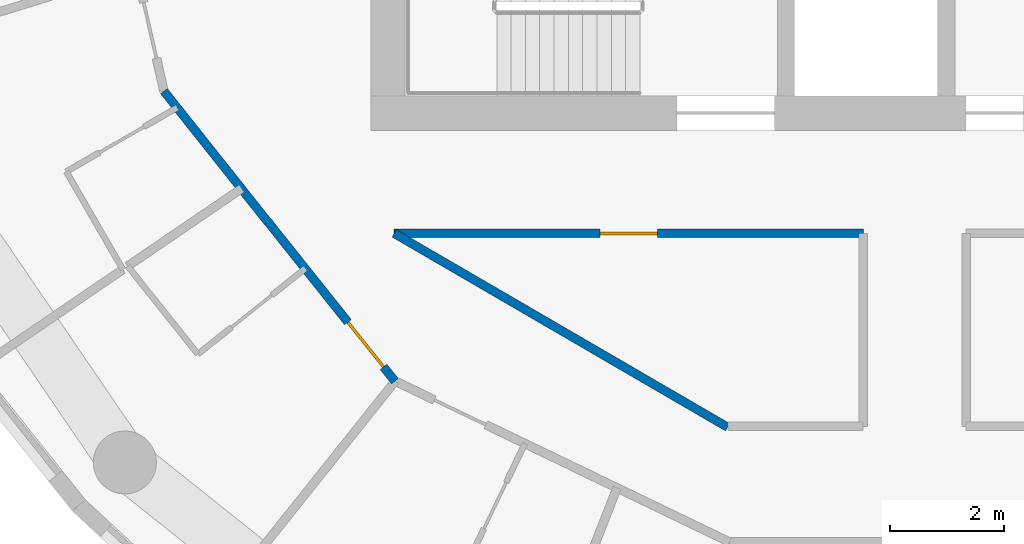
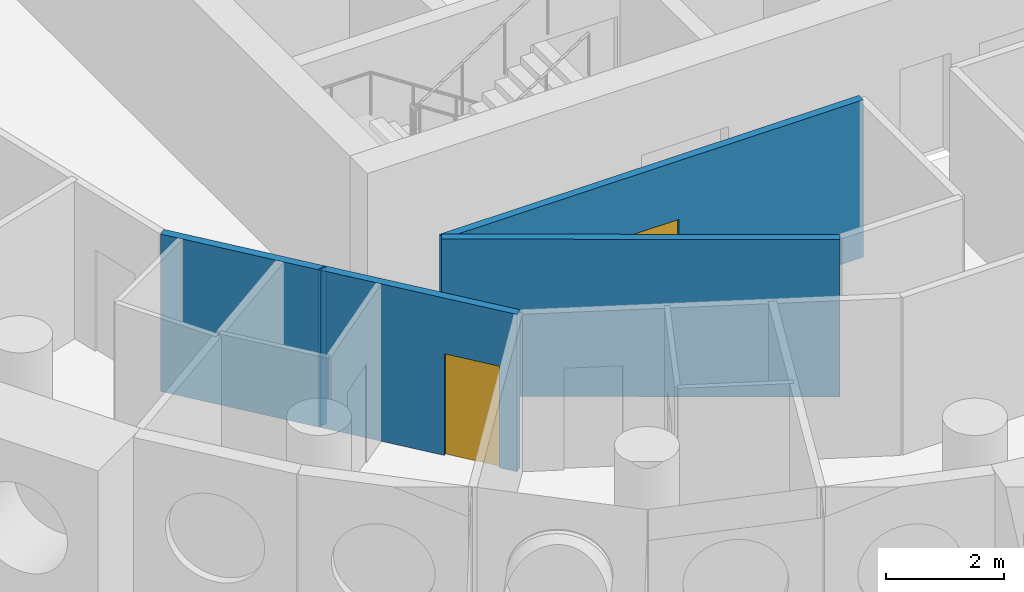
# One storey, part 3 of 13: 5 walls, 2 doors, 2 openings.
"""IFC4 building model written with IfcOpenShell, lengths in metres."""

from ifc_helpers import new_model, si_unit, direction, frame, frame_2d, origin, place, context, subcontext, project, spatial, rectangle, extrude, material, layer, layer_set, type_object, element, fill, save


model = new_model("IFC4")

# Units and contexts
model_context = context("Model", 3, precision=1e-05, world=origin(), true_north=direction((0.0, 1.0)))
body_context = subcontext(model_context, "Body", "Model", "MODEL_VIEW")
ifc_project = project(units=[si_unit("LENGTHUNIT", "METRE"), si_unit("AREAUNIT", "SQUARE_METRE"), si_unit("VOLUMEUNIT", "CUBIC_METRE"), si_unit("PLANEANGLEUNIT", "RADIAN"), si_unit("MASSUNIT", "GRAM", prefix="KILO")], contexts=[model_context])

# Site, building, storey
site_placement = place(None, origin())
site = spatial("IfcSite", under=ifc_project, at=site_placement, CompositionType="ELEMENT")
building_placement = place(site_placement, origin())
building = spatial("IfcBuilding", under=site, at=building_placement, Name="Tracery Tower", CompositionType="ELEMENT")
storey_placement = place(building_placement, frame((0.0, 0.0, 259.800048828125)))
storey = spatial("IfcBuildingStorey", under=building, at=storey_placement, Name="L67", CompositionType="ELEMENT", Elevation=259.800048828125)

# Wall, opening, door
ifc_material_1 = material(Name="Plasterboard on steel studs", Category="steel")
ifc_layer = layer(ifc_material_1, 0.14990234375)
ifc_layer_set = layer_set([ifc_layer], Name="Partition 150 corridor wall")
wall_type = type_object("IfcWallType", Name="Partition 150 corridor wall", PredefinedType="PARTITIONING", material=ifc_layer_set)
wall_1_placement = place(storey_placement, frame((-9.092041015625, -8.800048828125, 0.0), z_axis=(0.0, 0.0, 1.0), x_axis=(1.0, 0.0, 0.0)))
wall_1 = element("IfcWall", 1, at=wall_1_placement, inside=storey, type_object=wall_type, Name="Corridor wall RC3-011", PredefinedType="PARTITIONING", context=body_context, shape_type="SweptSolid", body=[
    extrude(rectangle(XDim=8.196044921875, YDim=0.14990234375, at=frame_2d((4.09814453125, 0.0))), origin(), (0.0, 0.0, 1.0), 3.25),
])
opening_1_placement = place(wall_1_placement, frame((3.597900390625, 0.0, 0.0)))
opening_1 = element("IfcOpeningElement", 2, at=opening_1_placement, cuts=wall_1, Name="Opening RC3-03", PredefinedType="OPENING", context=body_context, shape_type="SweptSolid", body=[
    extrude(rectangle(XDim=1.0, YDim=2.0400390625, at=frame_2d((0.5, 1.02001953125))), frame((0.0, 0.074951171875, 0.0), z_axis=(0.0, -1.0, 0.0), x_axis=(1.0, 0.0, 0.0)), (0.0, 0.0, 1.0), 0.14990234375),
])
ifc_material_2 = material(Name="Timber door leaf", Category="wood")
door_type_1 = type_object("IfcDoorType", Name="Door communal room 1000", OperationType="NOTDEFINED", PredefinedType="DOOR", material=ifc_material_2)
door_1_placement = place(opening_1_placement, origin())
door_1 = element("IfcDoor", 3, at=door_1_placement, inside=storey, type_object=door_type_1, Name="Communal room door RC3-03", OperationType="SINGLE_SWING_RIGHT", OverallHeight=2.0400390625, OverallWidth=1.0, PredefinedType="DOOR", context=body_context, shape_type="SweptSolid", body=[
    extrude(rectangle(XDim=1.0, YDim=2.0400390625, at=frame_2d((0.5, 1.02001953125))), frame((0.0, 0.02490234375, 0.0), z_axis=(0.0, -1.0, 0.0), x_axis=(1.0, 0.0, 0.0)), (0.0, 0.0, 1.0), 0.050048828125),
])
fill(opening_1, door_1)

# Wall
wall_2_placement = place(storey_placement, frame((-9.092041015625, -8.800048828125, 0.0), z_axis=(0.0, 0.0, 1.0), x_axis=(0.864470922103, -0.502682827277, 0.0)))
element("IfcWall", 4, at=wall_2_placement, inside=storey, type_object=wall_type, Name="Corridor wall RC3-012", PredefinedType="PARTITIONING", context=body_context, shape_type="SweptSolid", body=[
    extrude(rectangle(XDim=6.7353515625, YDim=0.14990234375, at=frame_2d((3.36767578125, 0.0))), origin(), (0.0, 0.0, 1.0), 3.25),
])

# Wall, opening, door
wall_3_placement = place(storey_placement, frame((-11.300048828125, -8.59619140625, 0.0), z_axis=(0.0, 0.0, 1.0), x_axis=(0.623165080354, -0.782090328944, 0.0)))
wall_3 = element("IfcWall", 5, at=wall_3_placement, inside=storey, type_object=wall_type, Name="Corridor wall RC3-015", PredefinedType="PARTITIONING", context=body_context, shape_type="SweptSolid", body=[
    extrude(rectangle(XDim=3.56396484375, YDim=0.14990234375, at=frame_2d((1.781982421875, 0.0))), origin(), (0.0, 0.0, 1.0), 3.25),
])
opening_2_placement = place(wall_3_placement, frame((2.243896484375, 0.0, 0.0)))
opening_2 = element("IfcOpeningElement", 6, at=opening_2_placement, cuts=wall_3, Name="Opening RC3-21", PredefinedType="OPENING", context=body_context, shape_type="SweptSolid", body=[
    extrude(rectangle(XDim=1.0, YDim=2.10009765625, at=frame_2d((0.5, 1.050048828125))), frame((0.0, 0.074951171875, 0.0), z_axis=(0.0, -1.0, 0.0), x_axis=(1.0, 0.0, 0.0)), (0.0, 0.0, 1.0), 0.14990234375),
])
ifc_material_3 = material(Name="Timber door leaf", Category="wood")
door_type_2 = type_object("IfcDoorType", Name="Door unit entrance 1000", OperationType="NOTDEFINED", PredefinedType="DOOR", material=ifc_material_3)
door_2_placement = place(opening_2_placement, origin())
door_2 = element("IfcDoor", 7, at=door_2_placement, inside=storey, type_object=door_type_2, Name="Unit entrance door RC3-21", OperationType="SINGLE_SWING_LEFT", OverallHeight=2.10009765625, OverallWidth=1.0, PredefinedType="DOOR", context=body_context, shape_type="SweptSolid", body=[
    extrude(rectangle(XDim=1.0, YDim=2.10009765625, at=frame_2d((0.5, 1.050048828125))), frame((0.0, 0.02490234375, 0.0), z_axis=(0.0, -1.0, 0.0), x_axis=(1.0, 0.0, 0.0)), (0.0, 0.0, 1.0), 0.050048828125),
])
fill(opening_2, door_2)

# Walls
wall_4_placement = place(storey_placement, frame((-11.300048828125, -8.59619140625, 0.0), z_axis=(0.0, 0.0, 1.0), x_axis=(0.0, 1.0, 0.0)))
element("IfcWall", 8, at=wall_4_placement, inside=storey, type_object=wall_type, Name="Corridor wall RC3-017", PredefinedType="PARTITIONING", context=body_context, shape_type="SweptSolid", body=[
    extrude(rectangle(XDim=0.01025390625, YDim=0.14990234375, at=frame_2d((0.005126953125, 0.0))), origin(), (0.0, 0.0, 1.0), 3.25),
])
wall_5_placement = place(storey_placement, frame((-13.114990234375, -6.31591796875, 0.0), z_axis=(0.0, 0.0, 1.0), x_axis=(0.622042479172, -0.782983495423, 0.0)))
element("IfcWall", 9, at=wall_5_placement, inside=storey, type_object=wall_type, Name="Corridor wall RC3-037", PredefinedType="PARTITIONING", context=body_context, shape_type="SweptSolid", body=[
    extrude(rectangle(XDim=2.9111328125, YDim=0.14990234375, at=frame_2d((1.45556640625, 0.0))), origin(), (0.0, 0.0, 1.0), 3.25),
])

save(model, "model.ifc")
